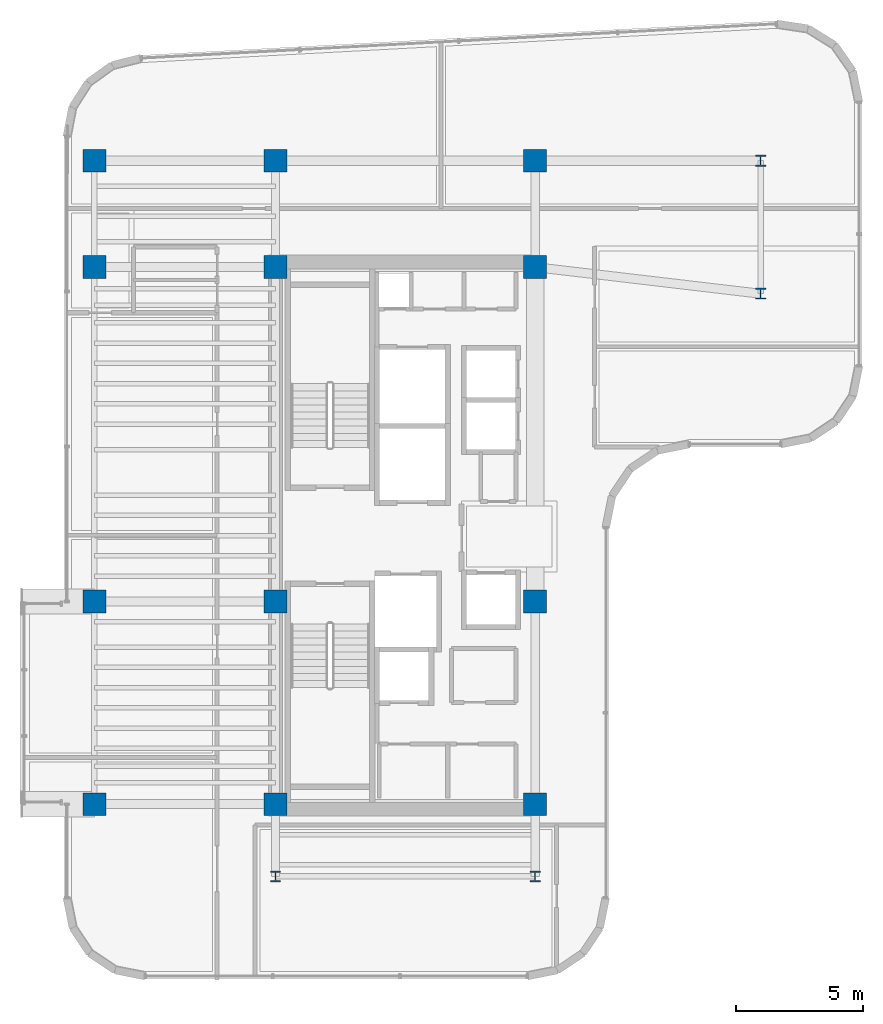
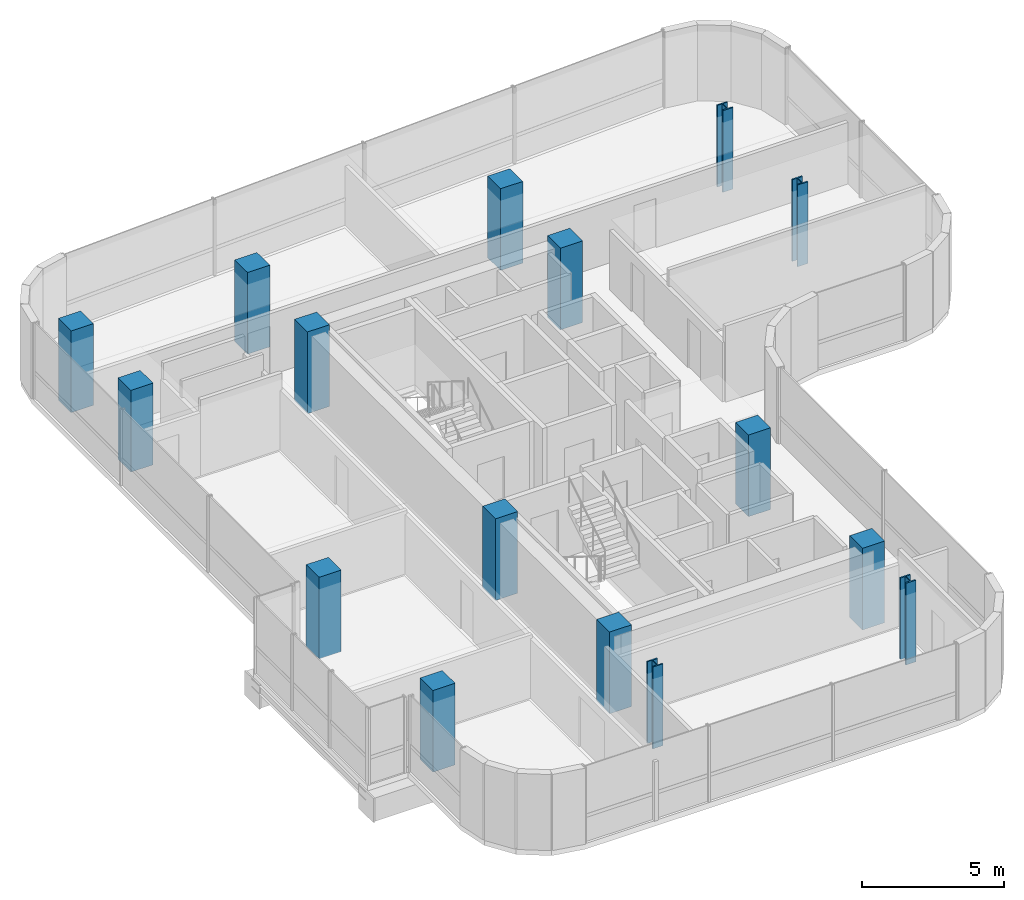
# One storey, part 1 of 22: 16 columns.
"""IFC4 building model written with IfcOpenShell, lengths in metres."""

from ifc_helpers import new_model, si_unit, direction, frame, origin, origin_2d, place, context, subcontext, project, spatial, rectangle, i_section, extrude, source, transform, mapped, material, material_profile, profile_set, type_object, element, save


model = new_model("IFC4")

# Units and contexts
model_context = context("Model", 3, precision=1e-05, world=origin(), true_north=direction((0.0, 1.0)))
body_context = subcontext(model_context, "Body", "Model", "MODEL_VIEW")
ifc_project = project(units=[si_unit("LENGTHUNIT", "METRE"), si_unit("AREAUNIT", "SQUARE_METRE"), si_unit("VOLUMEUNIT", "CUBIC_METRE"), si_unit("PLANEANGLEUNIT", "RADIAN"), si_unit("MASSUNIT", "GRAM", prefix="KILO")], contexts=[model_context])

# Site, building, storey
site_placement = place(None, origin())
site = spatial("IfcSite", under=ifc_project, at=site_placement, CompositionType="ELEMENT")
building_placement = place(site_placement, origin())
building = spatial("IfcBuilding", under=site, at=building_placement, Name="Valdorenza Pilgrim Sanctuary Tower", CompositionType="ELEMENT")
storey_placement = place(building_placement, frame((0.0, 0.0, 237.0)))
storey = spatial("IfcBuildingStorey", under=building, at=storey_placement, Name="L61", CompositionType="ELEMENT", Elevation=237.0)

# Columns
ifc_material_1 = material(Name="Concrete C50/60", Category="concrete")
ifc_material_profile_1 = material_profile(ifc_material_1, rectangle(XDim=0.89990234375, YDim=0.89990234375, at=origin_2d()), Name="RC 900x900")
ifc_profile_set_1 = profile_set([ifc_material_profile_1], Name="Concrete C50/60")
column_type_1 = type_object("IfcColumnType", Name="COL-Z4A-900", PredefinedType="COLUMN", material=ifc_profile_set_1)
shared_shape_1 = source(origin(), body_context, "Body", "SweptSolid", [
    extrude(rectangle(XDim=0.89990234375, YDim=0.89990234375, at=origin_2d()), origin(), (0.0, 0.0, 1.0), 3.5),
])
for number, where, z_axis, x_axis, name in (
    (1, (-29.800048828125, -10.60009765625, 0.0), (0.0, 0.0, 1.0), (1.0, 0.0, 0.0), "L61 Perimeter Column WA-W-S1"),
    (2, (-22.64990234375, -10.60009765625, 0.0), (0.0, 0.0, 1.0), (1.0, 0.0, 0.0), "L61 Column CA-W-S1"),
    (3, (-12.39990234375, -10.60009765625, 0.0), (0.0, 0.0, 1.0), (1.0, 0.0, 0.0), "L61 Column CA-E-S1"),
    (4, (-29.800048828125, -2.60009765625, 0.0), (0.0, 0.0, 1.0), (1.0, 0.0, 0.0), "L61 Perimeter Column WA-W-M0"),
    (5, (-22.64990234375, -2.60009765625, 0.0), (0.0, 0.0, 1.0), (1.0, 0.0, 0.0), "L61 Column CA-W-M0"),
    (6, (-12.39990234375, -2.60009765625, 0.0), (0.0, 0.0, 1.0), (1.0, 0.0, 0.0), "L61 Column CA-E-M0"),
    (7, (-29.800048828125, 10.60009765625, 0.0), (0.0, 0.0, 1.0), (1.0, 0.0, 0.0), "L61 Perimeter Column WA-W-N1"),
    (8, (-22.64990234375, 10.60009765625, 0.0), (0.0, 0.0, 1.0), (1.0, 0.0, 0.0), "L61 Column CA-W-N1"),
    (9, (-12.39990234375, 10.60009765625, 0.0), (0.0, 0.0, 1.0), (1.0, 0.0, 0.0), "L61 Column CA-E-N1"),
    (10, (-29.800048828125, 14.800048828125, 0.0), (0.0, 0.0, 1.0), (1.0, 0.0, 0.0), "L61 Perimeter Column WA-W-N2"),
    (11, (-22.64990234375, 14.800048828125, 0.0), (0.0, 0.0, 1.0), (1.0, 0.0, 0.0), "L61 Column CA-W-N2"),
    (12, (-12.39990234375, 14.800048828125, 0.0), (0.0, 0.0, 1.0), (1.0, 0.0, 0.0), "L61 Column CA-E-N2"),
):
    element("IfcColumn", number, at=place(storey_placement, frame(where, z_axis=z_axis, x_axis=x_axis)), inside=storey, type_object=column_type_1, Name=name, PredefinedType="COLUMN", context=body_context, shape_type="MappedRepresentation", body=[
        mapped(shared_shape_1, transform((0.0, 0.0, 0.0), x_axis=(1.0, 0.0, 0.0), y_axis=(0.0, 1.0, 0.0), z_axis=(0.0, 0.0, 1.0), scale=1.0)),
    ])
ifc_material_2 = material(Name="Steel ASTM A992 Grade 50", Category="steel")
ifc_material_profile_2 = material_profile(ifc_material_2, i_section(OverallWidth=0.412109375, OverallDepth=0.43505859375, WebThickness=0.035888671875, FlangeThickness=0.057373046875, at=origin_2d()), Name="W14X311")
ifc_profile_set_2 = profile_set([ifc_material_profile_2], Name="Steel ASTM A992 Grade 50")
column_type_2 = type_object("IfcColumnType", Name="COL-STL-W311", PredefinedType="COLUMN", material=ifc_profile_set_2)
shared_shape_2 = source(origin(), body_context, "Body", "SweptSolid", [
    extrude(i_section(OverallWidth=0.412109375, OverallDepth=0.43505859375, WebThickness=0.035888671875, FlangeThickness=0.057373046875, at=origin_2d()), origin(), (0.0, 0.0, 1.0), 3.5),
])
for number, where, z_axis, x_axis, name in (
    (13, (-22.64990234375, -13.449951171875, 0.0), (0.0, 0.0, 1.0), (1.0, 0.0, 0.0), "L61 Column WA-S-W"),
    (14, (-12.39990234375, -13.449951171875, 0.0), (0.0, 0.0, 1.0), (1.0, 0.0, 0.0), "L61 Column WA-S-E"),
    (15, (-3.5, 9.550048828125, 0.0), (0.0, 0.0, 1.0), (1.0, 0.0, 0.0), "L61 Column UWA-K1"),
    (16, (-3.5, 14.800048828125, 0.0), (0.0, 0.0, 1.0), (1.0, 0.0, 0.0), "L61 Column UWA-K2"),
):
    element("IfcColumn", number, at=place(storey_placement, frame(where, z_axis=z_axis, x_axis=x_axis)), inside=storey, type_object=column_type_2, Name=name, PredefinedType="COLUMN", context=body_context, shape_type="MappedRepresentation", body=[
        mapped(shared_shape_2, transform((0.0, 0.0, 0.0), x_axis=(1.0, 0.0, 0.0), y_axis=(0.0, 1.0, 0.0), z_axis=(0.0, 0.0, 1.0), scale=1.0)),
    ])

save(model, "model.ifc")
